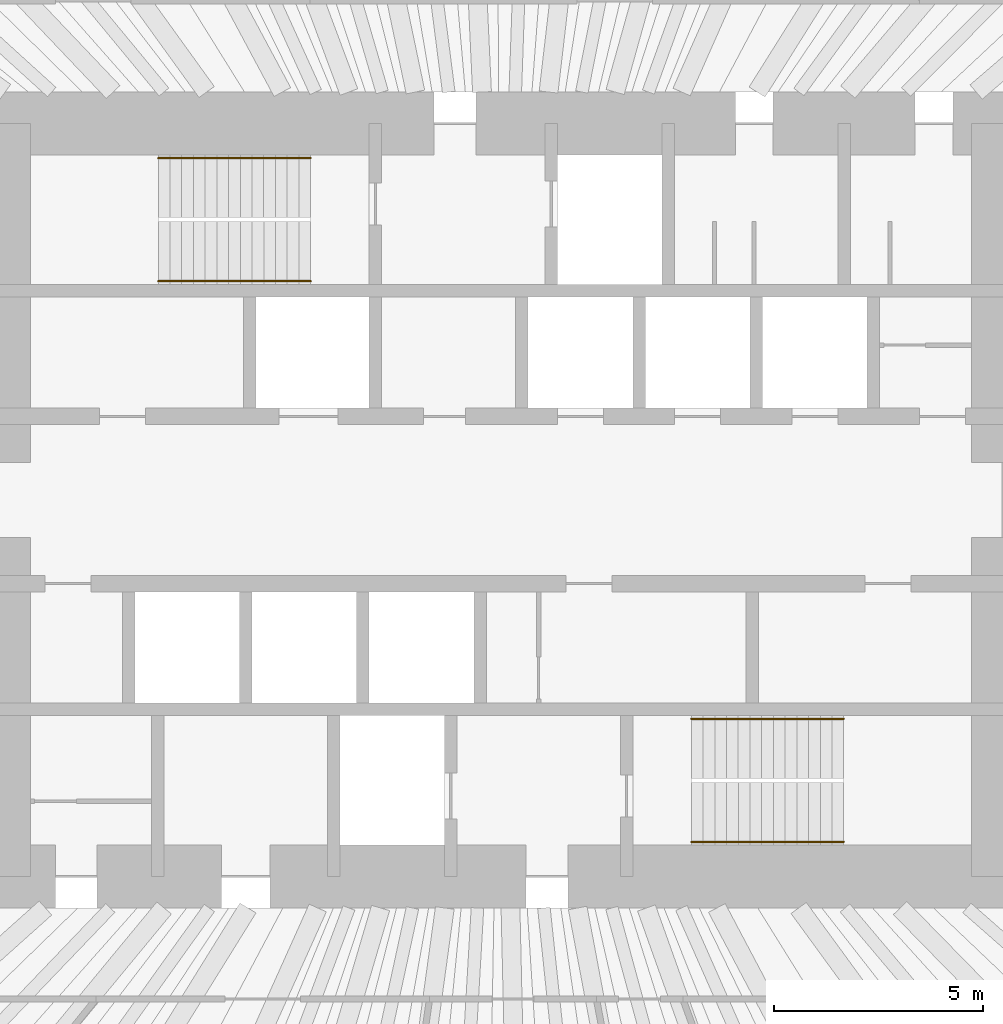
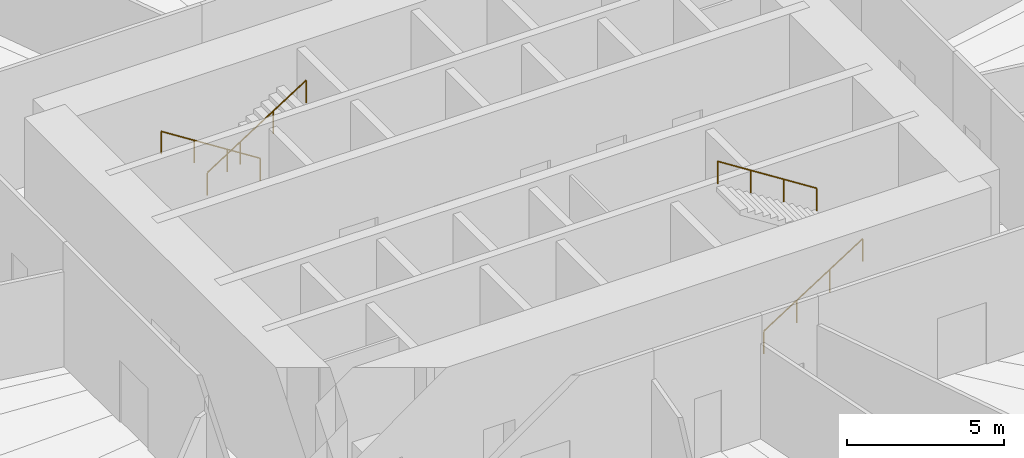
# One storey, part 13 of 13: 4 railings.
"""IFC4 building model written with IfcOpenShell, lengths in metres."""

from ifc_helpers import new_model, si_unit, direction, frame, origin, origin_2d, place, context, subcontext, project, spatial, circle, extrude, material, type_object, element, save


model = new_model("IFC4")

# Units and contexts
model_context = context("Model", 3, precision=1e-05, world=origin(), true_north=direction((0.0, 1.0)))
body_context = subcontext(model_context, "Body", "Model", "MODEL_VIEW")
ifc_project = project(units=[si_unit("LENGTHUNIT", "METRE"), si_unit("AREAUNIT", "SQUARE_METRE"), si_unit("VOLUMEUNIT", "CUBIC_METRE"), si_unit("PLANEANGLEUNIT", "RADIAN"), si_unit("MASSUNIT", "GRAM", prefix="KILO")], contexts=[model_context])

# Site, building, storey
site_placement = place(None, origin())
site = spatial("IfcSite", under=ifc_project, at=site_placement, CompositionType="ELEMENT")
building_placement = place(site_placement, origin())
building = spatial("IfcBuilding", under=site, at=building_placement, Name="Qingtian Harvest Tower", CompositionType="ELEMENT")
storey_placement = place(building_placement, frame((0.0, 0.0, 22.0)))
storey = spatial("IfcBuildingStorey", under=building, at=storey_placement, Name="L04", CompositionType="ELEMENT", Elevation=22.0)

# Railings
ifc_material = material(Name="Stainless steel handrail", Category="steel")
railing_type = type_object("IfcRailingType", Name="Handrail HR1", PredefinedType="HANDRAIL", material=ifc_material)
railing_1_placement = place(storey_placement, frame((-4.550048828125, 8.169921875, 0.178466796875)))
element("IfcRailing", 1, at=railing_1_placement, inside=storey, type_object=railing_type, Name="Handrail HR1 S1 flight 1", PredefinedType="HANDRAIL", context=body_context, shape_type="SweptSolid", body=[
    extrude(circle(Radius=0.02392578125, at=origin_2d()), frame((0.0, 0.0, 0.8759765625), z_axis=(-0.843111507901, 0.0, 0.53773877045), x_axis=(0.0, -1.0, 0.0)), (0.0, 0.0, 1.0), 4.317138671875),
    extrude(circle(Radius=0.02099609375, at=origin_2d()), origin(), (0.0, 0.0, 1.0), 0.851806640625),
    extrude(circle(Radius=0.02099609375, at=origin_2d()), frame((-1.21337890625, 0.0, 0.77392578125)), (0.0, 0.0, 1.0), 0.851806640625),
    extrude(circle(Radius=0.02099609375, at=origin_2d()), frame((-2.426513671875, 0.0, 1.547607421875)), (0.0, 0.0, 1.0), 0.851806640625),
    extrude(circle(Radius=0.02099609375, at=origin_2d()), frame((-3.639892578125, 0.0, 2.321533203125)), (0.0, 0.0, 1.0), 0.851806640625),
])
for number, where, name in (
    (2, (-8.18994140625, 5.22998046875, 2.678466796875), "Handrail HR1 S1 flight 2"),
    (3, (4.550048828125, -8.169921875, 0.178466796875), "Handrail HR1 S2 flight 1"),
):
    element("IfcRailing", number, at=place(storey_placement, frame(where)), inside=storey, type_object=railing_type, Name=name, PredefinedType="HANDRAIL", context=body_context, shape_type="SweptSolid", body=[
        extrude(circle(Radius=0.02392578125, at=origin_2d()), frame((0.0, 0.0, 0.8759765625), z_axis=(0.843111507901, 0.0, 0.53773877045), x_axis=(0.0, 1.0, 0.0)), (0.0, 0.0, 1.0), 4.317138671875),
        extrude(circle(Radius=0.02099609375, at=origin_2d()), origin(), (0.0, 0.0, 1.0), 0.851806640625),
        extrude(circle(Radius=0.02099609375, at=origin_2d()), frame((1.21337890625, 0.0, 0.77392578125)), (0.0, 0.0, 1.0), 0.851806640625),
        extrude(circle(Radius=0.02099609375, at=origin_2d()), frame((2.426513671875, 0.0, 1.547607421875)), (0.0, 0.0, 1.0), 0.851806640625),
        extrude(circle(Radius=0.02099609375, at=origin_2d()), frame((3.639892578125, 0.0, 2.321533203125)), (0.0, 0.0, 1.0), 0.851806640625),
    ])
railing_2_placement = place(storey_placement, frame((8.18994140625, -5.22998046875, 2.678466796875)))
element("IfcRailing", 4, at=railing_2_placement, inside=storey, type_object=railing_type, Name="Handrail HR1 S2 flight 2", PredefinedType="HANDRAIL", context=body_context, shape_type="SweptSolid", body=[
    extrude(circle(Radius=0.02392578125, at=origin_2d()), frame((0.0, 0.0, 0.8759765625), z_axis=(-0.843111507901, 0.0, 0.53773877045), x_axis=(0.0, -1.0, 0.0)), (0.0, 0.0, 1.0), 4.317138671875),
    extrude(circle(Radius=0.02099609375, at=origin_2d()), origin(), (0.0, 0.0, 1.0), 0.851806640625),
    extrude(circle(Radius=0.02099609375, at=origin_2d()), frame((-1.21337890625, 0.0, 0.77392578125)), (0.0, 0.0, 1.0), 0.851806640625),
    extrude(circle(Radius=0.02099609375, at=origin_2d()), frame((-2.426513671875, 0.0, 1.547607421875)), (0.0, 0.0, 1.0), 0.851806640625),
    extrude(circle(Radius=0.02099609375, at=origin_2d()), frame((-3.639892578125, 0.0, 2.321533203125)), (0.0, 0.0, 1.0), 0.851806640625),
])

save(model, "model.ifc")
